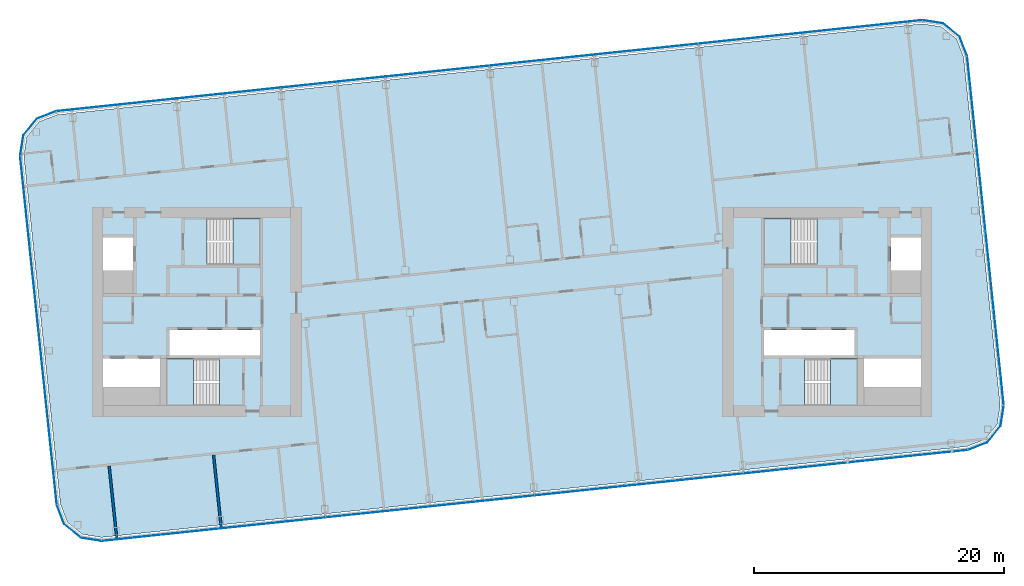
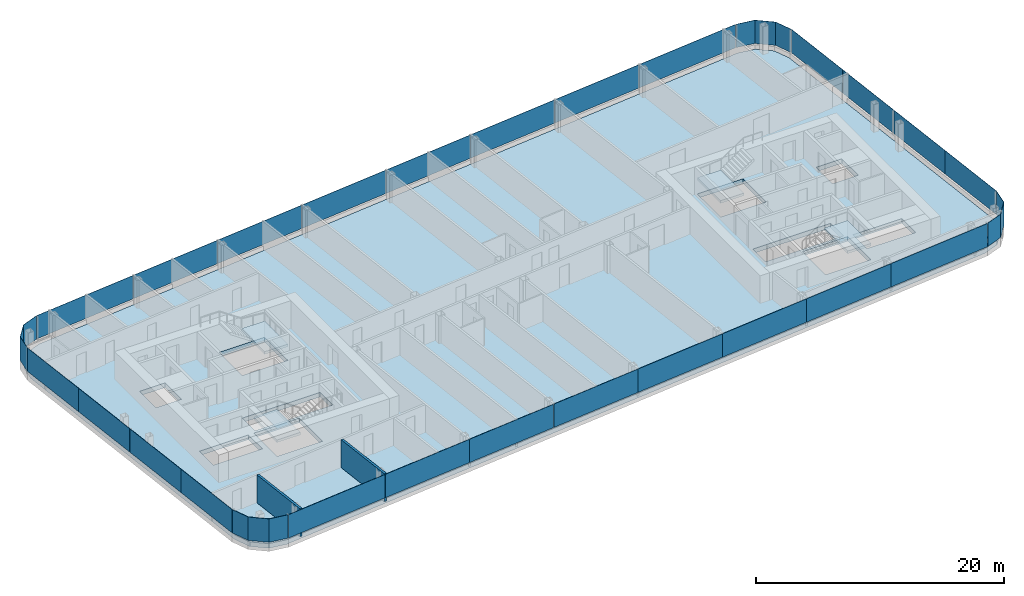
# One storey, part 13 of 27: 28 plates, 5 slabs, 2 walls, 12 elements without a shape of their own.
"""IFC4 building model written with IfcOpenShell, lengths in metres."""

from ifc_helpers import new_model, si_unit, direction, frame, frame_2d, origin, origin_2d, place, context, subcontext, project, spatial, polyline, rectangle, outline, extrude, material, layer, layer_set, type_object, element, aggregate, save


model = new_model("IFC4")

# Units and contexts
model_context = context("Model", 3, precision=1e-05, world=origin(), true_north=direction((0.0, 1.0)))
body_context = subcontext(model_context, "Body", "Model", "MODEL_VIEW")
ifc_project = project(units=[si_unit("LENGTHUNIT", "METRE"), si_unit("AREAUNIT", "SQUARE_METRE"), si_unit("VOLUMEUNIT", "CUBIC_METRE"), si_unit("PLANEANGLEUNIT", "RADIAN"), si_unit("MASSUNIT", "GRAM", prefix="KILO")], contexts=[model_context])

# Site, building, storey
site_placement = place(None, origin())
site = spatial("IfcSite", under=ifc_project, at=site_placement, CompositionType="ELEMENT")
building_placement = place(site_placement, origin())
building = spatial("IfcBuilding", under=site, at=building_placement, Name="Hakoniwa Tower and Hamabe Station Hall", CompositionType="ELEMENT")
storey_placement = place(building_placement, frame((0.0, 0.0, 242.199951171875)))
storey = spatial("IfcBuildingStorey", under=building, at=storey_placement, Name="L68", CompositionType="ELEMENT", Elevation=242.199951171875)

# Stair, slab
ifc_material_1 = material(Name="Concrete C40", Category="concrete")
stair_type = type_object("IfcStairType", Name="ESCAPE STAIR 1800", PredefinedType="HALF_TURN_STAIR", material=ifc_material_1)
stair_1_placement = place(storey_placement, origin())
stair_1 = element("IfcStair", 1, at=stair_1_placement, inside=storey, type_object=stair_type, Name="Escape stair ST-1 L68", PredefinedType="HALF_TURN_STAIR")
ifc_material_2 = material(Name="Concrete C40", Category="concrete")
ifc_layer_1 = layer(ifc_material_2, 0.25)
ifc_layer_set_1 = layer_set([ifc_layer_1], Name="CORE STAIR LANDING 250")
slab_type_1 = type_object("IfcSlabType", Name="CORE STAIR LANDING 250", PredefinedType="LANDING", material=ifc_layer_set_1)
slab_1_placement = place(storey_placement, frame((0.0, 0.0, 1.35009765625)))
slab_1 = element("IfcSlab", 2, at=slab_1_placement, type_object=slab_type_1, Name="ST-1 landing 1", PredefinedType="LANDING", context=body_context, shape_type="SweptSolid", body=[
    extrude(outline(polyline([(-22.320068359375, 3.75), (-20.14990234375, 3.75), (-20.14990234375, 7.5), (-22.320068359375, 7.5), (-22.320068359375, 3.75)])), origin(), (0.0, 0.0, 1.0), 0.25),
])
aggregate(stair_1, [slab_1])

stair_2_placement = place(storey_placement, origin())
stair_2 = element("IfcStair", 3, at=stair_2_placement, inside=storey, type_object=stair_type, Name="Escape stair ST-2 L68", PredefinedType="HALF_TURN_STAIR")
slab_2_placement = place(storey_placement, frame((0.0, 0.0, 1.35009765625)))
slab_2 = element("IfcSlab", 4, at=slab_2_placement, type_object=slab_type_1, Name="ST-2 landing 1", PredefinedType="LANDING", context=body_context, shape_type="SweptSolid", body=[
    extrude(outline(polyline([(-25.47998046875, -7.5), (-27.64990234375, -7.5), (-27.64990234375, -3.75), (-25.47998046875, -3.75), (-25.47998046875, -7.5)])), origin(), (0.0, 0.0, 1.0), 0.25),
])
aggregate(stair_2, [slab_2])

stair_3_placement = place(storey_placement, origin())
stair_3 = element("IfcStair", 5, at=stair_3_placement, inside=storey, type_object=stair_type, Name="Escape stair ST-3 L68", PredefinedType="HALF_TURN_STAIR")
slab_3_placement = place(storey_placement, frame((0.0, 0.0, 1.35009765625)))
slab_3 = element("IfcSlab", 6, at=slab_3_placement, type_object=slab_type_1, Name="ST-3 landing 1", PredefinedType="LANDING", context=body_context, shape_type="SweptSolid", body=[
    extrude(outline(polyline([(22.320068359375, 3.75), (20.14990234375, 3.75), (20.14990234375, 7.5), (22.320068359375, 7.5), (22.320068359375, 3.75)])), origin(), (0.0, 0.0, 1.0), 0.25),
])
aggregate(stair_3, [slab_3])

stair_4_placement = place(storey_placement, origin())
stair_4 = element("IfcStair", 7, at=stair_4_placement, inside=storey, type_object=stair_type, Name="Escape stair ST-4 L68", PredefinedType="HALF_TURN_STAIR")
slab_4_placement = place(storey_placement, frame((0.0, 0.0, 1.35009765625)))
slab_4 = element("IfcSlab", 8, at=slab_4_placement, type_object=slab_type_1, Name="ST-4 landing 1", PredefinedType="LANDING", context=body_context, shape_type="SweptSolid", body=[
    extrude(outline(polyline([(25.47998046875, -7.5), (27.64990234375, -7.5), (27.64990234375, -3.75), (25.47998046875, -3.75), (25.47998046875, -7.5)])), origin(), (0.0, 0.0, 1.0), 0.25),
])
aggregate(stair_4, [slab_4])

# Curtain wall, plates
ifc_material_3 = material(Name="Dark low-e laminated glass", Category="glass")
ifc_layer_2 = layer(ifc_material_3, 0.199951171875)
ifc_layer_set_2 = layer_set([ifc_layer_2], Name="CW-1 UNITISED GUEST")
curtain_wall_type = type_object("IfcCurtainWallType", Name="CW-1 UNITISED GUEST", PredefinedType="NOTDEFINED", material=ifc_layer_set_2)
curtain_wall_1_placement = place(storey_placement, origin())
curtain_wall_1 = element("IfcCurtainWall", 9, at=curtain_wall_1_placement, inside=storey, type_object=curtain_wall_type, Name="CW-1 curtain wall", PredefinedType="NOTDEFINED")
ifc_material_4 = material(Name="Dark low-e laminated glass", Category="glass")
ifc_layer_3 = layer(ifc_material_4, 0.028076171875)
ifc_layer_set_3 = layer_set([ifc_layer_3], Name="CW-1 GLASS UNIT")
plate_type = type_object("IfcPlateType", Name="CW-1 GLASS UNIT", PredefinedType="CURTAIN_PANEL", material=ifc_layer_set_3)
plate_1_placement = place(storey_placement, frame((38.97802734375, -3.990966796875, 0.35009765625), z_axis=(0.0, 0.0, 1.0), x_axis=(-0.104528468631, 0.994521894805, 0.0)))
plate_1 = element("IfcPlate", 10, at=plate_1_placement, type_object=plate_type, Name="CW-1 glass unit", PredefinedType="CURTAIN_PANEL", context=body_context, shape_type="SweptSolid", body=[
    extrude(rectangle(XDim=6.999755859375, YDim=0.028076171875, at=origin_2d()), origin(), (0.0, 0.0, 1.0), 2.300048828125),
])
plate_2_placement = place(storey_placement, frame((38.244140625, 2.990478515625, 0.35009765625), z_axis=(0.0, 0.0, 1.0), x_axis=(-0.104528468631, 0.994521894805, 0.0)))
plate_2 = element("IfcPlate", 11, at=plate_2_placement, type_object=plate_type, Name="CW-1 glass unit", PredefinedType="CURTAIN_PANEL", context=body_context, shape_type="SweptSolid", body=[
    extrude(rectangle(XDim=6.999755859375, YDim=0.028076171875, at=origin_2d()), origin(), (0.0, 0.0, 1.0), 2.300048828125),
])
plate_3_placement = place(storey_placement, frame((37.510498046875, 9.9716796875, 0.35009765625), z_axis=(0.0, 0.0, 1.0), x_axis=(-0.104528468631, 0.994521894805, 0.0)))
plate_3 = element("IfcPlate", 12, at=plate_3_placement, type_object=plate_type, Name="CW-1 glass unit", PredefinedType="CURTAIN_PANEL", context=body_context, shape_type="SweptSolid", body=[
    extrude(rectangle(XDim=6.999755859375, YDim=0.028076171875, at=origin_2d()), origin(), (0.0, 0.0, 1.0), 2.300048828125),
])
plate_4_placement = place(storey_placement, frame((36.776611328125, 16.953125, 0.35009765625), z_axis=(0.0, 0.0, 1.0), x_axis=(-0.104528468631, 0.994521894805, 0.0)))
plate_4 = element("IfcPlate", 13, at=plate_4_placement, type_object=plate_type, Name="CW-1 glass unit", PredefinedType="CURTAIN_PANEL", context=body_context, shape_type="SweptSolid", body=[
    extrude(rectangle(XDim=6.999755859375, YDim=0.028076171875, at=origin_2d()), origin(), (0.0, 0.0, 1.0), 2.300048828125),
])
aggregate(curtain_wall_1, [plate_1, plate_2, plate_3, plate_4])

# Curtain wall, plate
curtain_wall_2_placement = place(storey_placement, origin())
curtain_wall_2 = element("IfcCurtainWall", 14, at=curtain_wall_2_placement, inside=storey, type_object=curtain_wall_type, Name="CW-1 curtain wall", PredefinedType="NOTDEFINED")
plate_5_placement = place(storey_placement, frame((0.0, 0.0, 0.35009765625)))
plate_5 = element("IfcPlate", 15, at=plate_5_placement, type_object=plate_type, Name="CW-1 curved corner unit", PredefinedType="CURTAIN_PANEL", context=body_context, shape_type="SweptSolid", body=[
    extrude(outline(polyline([(36.409423828125, 20.482421875), (35.82421875, 22.0068359375), (34.492431640625, 23.085205078125), (32.8798828125, 23.340576171875), (32.87548828125, 23.31298828125), (34.480712890625, 23.058837890625), (35.80078125, 21.98974609375), (36.38330078125, 20.472412109375), (36.409423828125, 20.482421875)])), origin(), (0.0, 0.0, 1.0), 2.300048828125),
])
aggregate(curtain_wall_2, [plate_5])

# Curtain wall, plates
curtain_wall_3_placement = place(storey_placement, origin())
curtain_wall_3 = element("IfcCurtainWall", 16, at=curtain_wall_3_placement, inside=storey, type_object=curtain_wall_type, Name="CW-1 curtain wall", PredefinedType="NOTDEFINED")
plate_6_placement = place(storey_placement, frame((28.04833984375, 22.829345703125, 0.35009765625), z_axis=(0.0, 0.0, 1.0), x_axis=(-0.994521895272, -0.104528464188, 0.0)))
plate_6 = element("IfcPlate", 17, at=plate_6_placement, type_object=plate_type, Name="CW-1 glass unit", PredefinedType="CURTAIN_PANEL", context=body_context, shape_type="SweptSolid", body=[
    extrude(rectangle(XDim=9.619384765625, YDim=0.028076171875, at=origin_2d()), origin(), (0.0, 0.0, 1.0), 2.300048828125),
])
plate_7_placement = place(storey_placement, frame((19.078125, 21.886474609375, 0.35009765625), z_axis=(0.0, 0.0, 1.0), x_axis=(-0.994521895272, -0.104528464188, 0.0)))
plate_7 = element("IfcPlate", 18, at=plate_7_placement, type_object=plate_type, Name="CW-1 glass unit", PredefinedType="CURTAIN_PANEL", context=body_context, shape_type="SweptSolid", body=[
    extrude(rectangle(XDim=8.3798828125, YDim=0.028076171875, at=origin_2d()), origin(), (0.0, 0.0, 1.0), 2.300048828125),
])
plate_8_placement = place(storey_placement, frame((10.72412109375, 21.00830078125, 0.35009765625), z_axis=(0.0, 0.0, 1.0), x_axis=(-0.994521895272, -0.104528464188, 0.0)))
plate_8 = element("IfcPlate", 19, at=plate_8_placement, type_object=plate_type, Name="CW-1 glass unit", PredefinedType="CURTAIN_PANEL", context=body_context, shape_type="SweptSolid", body=[
    extrude(rectangle(XDim=8.3798828125, YDim=0.028076171875, at=origin_2d()), origin(), (0.0, 0.0, 1.0), 2.300048828125),
])
plate_9_placement = place(storey_placement, frame((2.3701171875, 20.13037109375, 0.35009765625), z_axis=(0.0, 0.0, 1.0), x_axis=(-0.994521895272, -0.104528464188, 0.0)))
plate_9 = element("IfcPlate", 20, at=plate_9_placement, type_object=plate_type, Name="CW-1 glass unit", PredefinedType="CURTAIN_PANEL", context=body_context, shape_type="SweptSolid", body=[
    extrude(rectangle(XDim=8.3798828125, YDim=0.028076171875, at=origin_2d()), origin(), (0.0, 0.0, 1.0), 2.300048828125),
])
plate_10_placement = place(storey_placement, frame((-5.98388671875, 19.252197265625, 0.35009765625), z_axis=(0.0, 0.0, 1.0), x_axis=(-0.994521895272, -0.104528464188, 0.0)))
plate_10 = element("IfcPlate", 21, at=plate_10_placement, type_object=plate_type, Name="CW-1 glass unit", PredefinedType="CURTAIN_PANEL", context=body_context, shape_type="SweptSolid", body=[
    extrude(rectangle(XDim=8.3798828125, YDim=0.028076171875, at=origin_2d()), origin(), (0.0, 0.0, 1.0), 2.300048828125),
])
plate_11_placement = place(storey_placement, frame((-14.337890625, 18.374267578125, 0.35009765625), z_axis=(0.0, 0.0, 1.0), x_axis=(-0.994521895272, -0.104528464188, 0.0)))
plate_11 = element("IfcPlate", 22, at=plate_11_placement, type_object=plate_type, Name="CW-1 glass unit", PredefinedType="CURTAIN_PANEL", context=body_context, shape_type="SweptSolid", body=[
    extrude(rectangle(XDim=8.3798828125, YDim=0.028076171875, at=origin_2d()), origin(), (0.0, 0.0, 1.0), 2.300048828125),
])
plate_12_placement = place(storey_placement, frame((-22.69189453125, 17.49609375, 0.35009765625), z_axis=(0.0, 0.0, 1.0), x_axis=(-0.994521895272, -0.104528464188, 0.0)))
plate_12 = element("IfcPlate", 23, at=plate_12_placement, type_object=plate_type, Name="CW-1 glass unit", PredefinedType="CURTAIN_PANEL", context=body_context, shape_type="SweptSolid", body=[
    extrude(rectangle(XDim=8.3798828125, YDim=0.028076171875, at=origin_2d()), origin(), (0.0, 0.0, 1.0), 2.300048828125),
])
plate_13_placement = place(storey_placement, frame((-31.662109375, 16.553466796875, 0.35009765625), z_axis=(0.0, 0.0, 1.0), x_axis=(-0.994521895272, -0.104528464188, 0.0)))
plate_13 = element("IfcPlate", 24, at=plate_13_placement, type_object=plate_type, Name="CW-1 glass unit", PredefinedType="CURTAIN_PANEL", context=body_context, shape_type="SweptSolid", body=[
    extrude(rectangle(XDim=9.619384765625, YDim=0.028076171875, at=origin_2d()), origin(), (0.0, 0.0, 1.0), 2.300048828125),
])
aggregate(curtain_wall_3, [plate_6, plate_7, plate_8, plate_9, plate_10, plate_11, plate_12, plate_13])

# Curtain wall, plate
curtain_wall_4_placement = place(storey_placement, origin())
curtain_wall_4 = element("IfcCurtainWall", 25, at=curtain_wall_4_placement, inside=storey, type_object=curtain_wall_type, Name="CW-1 curtain wall", PredefinedType="NOTDEFINED")
plate_14_placement = place(storey_placement, frame((0.0, 0.0, 0.35009765625)))
plate_14 = element("IfcPlate", 26, at=plate_14_placement, type_object=plate_type, Name="CW-1 curved corner unit", PredefinedType="CURTAIN_PANEL", context=body_context, shape_type="SweptSolid", body=[
    extrude(outline(polyline([(-36.494384765625, 16.049072265625), (-38.0185546875, 15.464111328125), (-39.09716796875, 14.13232421875), (-39.3525390625, 12.51953125), (-39.324951171875, 12.51513671875), (-39.070556640625, 14.120361328125), (-38.001708984375, 15.440673828125), (-36.484375, 16.02294921875), (-36.494384765625, 16.049072265625)])), origin(), (0.0, 0.0, 1.0), 2.300048828125),
])
aggregate(curtain_wall_4, [plate_14])

# Curtain wall, plates
curtain_wall_5_placement = place(storey_placement, origin())
curtain_wall_5 = element("IfcCurtainWall", 27, at=curtain_wall_5_placement, inside=storey, type_object=curtain_wall_type, Name="CW-1 curtain wall", PredefinedType="NOTDEFINED")
plate_15_placement = place(storey_placement, frame((-38.97802734375, 8.990966796875, 0.35009765625), z_axis=(0.0, 0.0, 1.0), x_axis=(0.104528468631, -0.994521894805, 0.0)))
plate_15 = element("IfcPlate", 28, at=plate_15_placement, type_object=plate_type, Name="CW-1 glass unit", PredefinedType="CURTAIN_PANEL", context=body_context, shape_type="SweptSolid", body=[
    extrude(rectangle(XDim=6.999755859375, YDim=0.028076171875, at=origin_2d()), origin(), (0.0, 0.0, 1.0), 2.300048828125),
])
plate_16_placement = place(storey_placement, frame((-38.244140625, 2.009521484375, 0.35009765625), z_axis=(0.0, 0.0, 1.0), x_axis=(0.104528468631, -0.994521894805, 0.0)))
plate_16 = element("IfcPlate", 29, at=plate_16_placement, type_object=plate_type, Name="CW-1 glass unit", PredefinedType="CURTAIN_PANEL", context=body_context, shape_type="SweptSolid", body=[
    extrude(rectangle(XDim=6.999755859375, YDim=0.028076171875, at=origin_2d()), origin(), (0.0, 0.0, 1.0), 2.300048828125),
])
plate_17_placement = place(storey_placement, frame((-37.510498046875, -4.9716796875, 0.35009765625), z_axis=(0.0, 0.0, 1.0), x_axis=(0.104528468631, -0.994521894805, 0.0)))
plate_17 = element("IfcPlate", 30, at=plate_17_placement, type_object=plate_type, Name="CW-1 glass unit", PredefinedType="CURTAIN_PANEL", context=body_context, shape_type="SweptSolid", body=[
    extrude(rectangle(XDim=6.999755859375, YDim=0.028076171875, at=origin_2d()), origin(), (0.0, 0.0, 1.0), 2.300048828125),
])
plate_18_placement = place(storey_placement, frame((-36.776611328125, -11.953125, 0.35009765625), z_axis=(0.0, 0.0, 1.0), x_axis=(0.104528468631, -0.994521894805, 0.0)))
plate_18 = element("IfcPlate", 31, at=plate_18_placement, type_object=plate_type, Name="CW-1 glass unit", PredefinedType="CURTAIN_PANEL", context=body_context, shape_type="SweptSolid", body=[
    extrude(rectangle(XDim=6.999755859375, YDim=0.028076171875, at=origin_2d()), origin(), (0.0, 0.0, 1.0), 2.300048828125),
])
aggregate(curtain_wall_5, [plate_15, plate_16, plate_17, plate_18])

# Curtain wall, plate
curtain_wall_6_placement = place(storey_placement, origin())
curtain_wall_6 = element("IfcCurtainWall", 32, at=curtain_wall_6_placement, inside=storey, type_object=curtain_wall_type, Name="CW-1 curtain wall", PredefinedType="NOTDEFINED")
plate_19_placement = place(storey_placement, frame((0.0, 0.0, 0.35009765625)))
plate_19 = element("IfcPlate", 33, at=plate_19_placement, type_object=plate_type, Name="CW-1 curved corner unit", PredefinedType="CURTAIN_PANEL", context=body_context, shape_type="SweptSolid", body=[
    extrude(outline(polyline([(-36.409423828125, -15.482421875), (-35.82421875, -17.0068359375), (-34.492431640625, -18.085205078125), (-32.8798828125, -18.340576171875), (-32.87548828125, -18.31298828125), (-34.480712890625, -18.058837890625), (-35.80078125, -16.98974609375), (-36.38330078125, -15.472412109375), (-36.409423828125, -15.482421875)])), origin(), (0.0, 0.0, 1.0), 2.300048828125),
])
aggregate(curtain_wall_6, [plate_19])

# Curtain wall, plates
curtain_wall_7_placement = place(storey_placement, origin())
curtain_wall_7 = element("IfcCurtainWall", 34, at=curtain_wall_7_placement, inside=storey, type_object=curtain_wall_type, Name="CW-1 curtain wall", PredefinedType="NOTDEFINED")
plate_20_placement = place(storey_placement, frame((-28.04833984375, -17.829345703125, 0.35009765625), z_axis=(0.0, 0.0, 1.0), x_axis=(0.994521895272, 0.104528464188, 0.0)))
plate_20 = element("IfcPlate", 35, at=plate_20_placement, type_object=plate_type, Name="CW-1 glass unit", PredefinedType="CURTAIN_PANEL", context=body_context, shape_type="SweptSolid", body=[
    extrude(rectangle(XDim=9.619384765625, YDim=0.028076171875, at=origin_2d()), origin(), (0.0, 0.0, 1.0), 2.300048828125),
])
plate_21_placement = place(storey_placement, frame((-19.078125, -16.886474609375, 0.35009765625), z_axis=(0.0, 0.0, 1.0), x_axis=(0.994521895272, 0.104528464188, 0.0)))
plate_21 = element("IfcPlate", 36, at=plate_21_placement, type_object=plate_type, Name="CW-1 glass unit", PredefinedType="CURTAIN_PANEL", context=body_context, shape_type="SweptSolid", body=[
    extrude(rectangle(XDim=8.3798828125, YDim=0.028076171875, at=origin_2d()), origin(), (0.0, 0.0, 1.0), 2.300048828125),
])
plate_22_placement = place(storey_placement, frame((-10.72412109375, -16.00830078125, 0.35009765625), z_axis=(0.0, 0.0, 1.0), x_axis=(0.994521895272, 0.104528464188, 0.0)))
plate_22 = element("IfcPlate", 37, at=plate_22_placement, type_object=plate_type, Name="CW-1 glass unit", PredefinedType="CURTAIN_PANEL", context=body_context, shape_type="SweptSolid", body=[
    extrude(rectangle(XDim=8.3798828125, YDim=0.028076171875, at=origin_2d()), origin(), (0.0, 0.0, 1.0), 2.300048828125),
])
plate_23_placement = place(storey_placement, frame((-2.3701171875, -15.13037109375, 0.35009765625), z_axis=(0.0, 0.0, 1.0), x_axis=(0.994521895272, 0.104528464188, 0.0)))
plate_23 = element("IfcPlate", 38, at=plate_23_placement, type_object=plate_type, Name="CW-1 glass unit", PredefinedType="CURTAIN_PANEL", context=body_context, shape_type="SweptSolid", body=[
    extrude(rectangle(XDim=8.3798828125, YDim=0.028076171875, at=origin_2d()), origin(), (0.0, 0.0, 1.0), 2.300048828125),
])
plate_24_placement = place(storey_placement, frame((5.98388671875, -14.252197265625, 0.35009765625), z_axis=(0.0, 0.0, 1.0), x_axis=(0.994521895272, 0.104528464188, 0.0)))
plate_24 = element("IfcPlate", 39, at=plate_24_placement, type_object=plate_type, Name="CW-1 glass unit", PredefinedType="CURTAIN_PANEL", context=body_context, shape_type="SweptSolid", body=[
    extrude(rectangle(XDim=8.3798828125, YDim=0.028076171875, at=origin_2d()), origin(), (0.0, 0.0, 1.0), 2.300048828125),
])
plate_25_placement = place(storey_placement, frame((14.337890625, -13.374267578125, 0.35009765625), z_axis=(0.0, 0.0, 1.0), x_axis=(0.994521895272, 0.104528464188, 0.0)))
plate_25 = element("IfcPlate", 40, at=plate_25_placement, type_object=plate_type, Name="CW-1 glass unit", PredefinedType="CURTAIN_PANEL", context=body_context, shape_type="SweptSolid", body=[
    extrude(rectangle(XDim=8.3798828125, YDim=0.028076171875, at=origin_2d()), origin(), (0.0, 0.0, 1.0), 2.300048828125),
])
plate_26_placement = place(storey_placement, frame((22.69189453125, -12.49609375, 0.35009765625), z_axis=(0.0, 0.0, 1.0), x_axis=(0.994521895272, 0.104528464188, 0.0)))
plate_26 = element("IfcPlate", 41, at=plate_26_placement, type_object=plate_type, Name="CW-1 glass unit", PredefinedType="CURTAIN_PANEL", context=body_context, shape_type="SweptSolid", body=[
    extrude(rectangle(XDim=8.3798828125, YDim=0.028076171875, at=origin_2d()), origin(), (0.0, 0.0, 1.0), 2.300048828125),
])
plate_27_placement = place(storey_placement, frame((31.662109375, -11.553466796875, 0.35009765625), z_axis=(0.0, 0.0, 1.0), x_axis=(0.994521895272, 0.104528464188, 0.0)))
plate_27 = element("IfcPlate", 42, at=plate_27_placement, type_object=plate_type, Name="CW-1 glass unit", PredefinedType="CURTAIN_PANEL", context=body_context, shape_type="SweptSolid", body=[
    extrude(rectangle(XDim=9.619384765625, YDim=0.028076171875, at=origin_2d()), origin(), (0.0, 0.0, 1.0), 2.300048828125),
])
aggregate(curtain_wall_7, [plate_20, plate_21, plate_22, plate_23, plate_24, plate_25, plate_26, plate_27])

# Curtain wall, plate
curtain_wall_8_placement = place(storey_placement, origin())
curtain_wall_8 = element("IfcCurtainWall", 43, at=curtain_wall_8_placement, inside=storey, type_object=curtain_wall_type, Name="CW-1 curtain wall", PredefinedType="NOTDEFINED")
plate_28_placement = place(storey_placement, frame((0.0, 0.0, 0.35009765625)))
plate_28 = element("IfcPlate", 44, at=plate_28_placement, type_object=plate_type, Name="CW-1 curved corner unit", PredefinedType="CURTAIN_PANEL", context=body_context, shape_type="SweptSolid", body=[
    extrude(outline(polyline([(36.494384765625, -11.049072265625), (38.0185546875, -10.464111328125), (39.09716796875, -9.13232421875), (39.3525390625, -7.51953125), (39.324951171875, -7.51513671875), (39.070556640625, -9.120361328125), (38.001708984375, -10.440673828125), (36.484375, -11.02294921875), (36.494384765625, -11.049072265625)])), origin(), (0.0, 0.0, 1.0), 2.300048828125),
])
aggregate(curtain_wall_8, [plate_28])

# Slab
ifc_material_5 = material(Name="Concrete C42", Category="concrete")
ifc_layer_4 = layer(ifc_material_5, 0.449951171875)
ifc_layer_set_4 = layer_set([ifc_layer_4], Name="PT FLAT PLATE 450")
slab_type_2 = type_object("IfcSlabType", Name="PT FLAT PLATE 450", PredefinedType="FLOOR", material=ifc_layer_set_4)
slab_5_placement = place(storey_placement, frame((0.0, 0.0, -0.449951171875)))
element("IfcSlab", 45, at=slab_5_placement, inside=storey, type_object=slab_type_2, Name="Floor slab L68", PredefinedType="FLOOR", context=body_context, shape_type="SweptSolid", body=[
    extrude(outline(polyline([(39.056396484375, -7.47216796875), (36.12939453125, 20.37451171875), (35.572998046875, 21.82421875), (34.3662109375, 22.801513671875), (32.83251953125, 23.04443359375), (-36.38623046875, 15.769287109375), (-37.836181640625, 15.212890625), (-38.8134765625, 14.005859375), (-39.056396484375, 12.47216796875), (-36.12939453125, -15.37451171875), (-35.572998046875, -16.82421875), (-34.3662109375, -17.801513671875), (-32.83251953125, -18.04443359375), (36.38623046875, -10.769287109375), (37.836181640625, -10.212890625), (38.8134765625, -9.005859375), (39.056396484375, -7.47216796875)]), holes=[polyline([(-27.39990234375, -3.5), (-27.39990234375, -1.449951171875), (-20.14990234375, -1.449951171875), (-20.14990234375, -3.5), (-27.39990234375, -3.5)]), polyline([(-32.699951171875, 3.300048828125), (-32.699951171875, 5.949951171875), (-30.300048828125, 5.949951171875), (-30.300048828125, 3.300048828125), (-32.699951171875, 3.300048828125)]), polyline([(-32.699951171875, -6.0), (-32.699951171875, -3.75), (-28.14990234375, -3.75), (-28.14990234375, -6.0), (-32.699951171875, -6.0)]), polyline([(-24.389892578125, 3.75), (-24.389892578125, 7.5), (-20.14990234375, 7.5), (-20.14990234375, 3.75), (-24.389892578125, 3.75)]), polyline([(-27.64990234375, -7.5), (-27.64990234375, -3.75), (-23.409912109375, -3.75), (-23.409912109375, -7.5), (-27.64990234375, -7.5)]), polyline([(20.14990234375, -3.5), (20.14990234375, -1.449951171875), (27.39990234375, -1.449951171875), (27.39990234375, -3.5), (20.14990234375, -3.5)]), polyline([(30.300048828125, 3.300048828125), (30.300048828125, 5.949951171875), (32.699951171875, 5.949951171875), (32.699951171875, 3.300048828125), (30.300048828125, 3.300048828125)]), polyline([(28.14990234375, -6.0), (28.14990234375, -3.75), (32.699951171875, -3.75), (32.699951171875, -6.0), (28.14990234375, -6.0)]), polyline([(20.14990234375, 3.75), (20.14990234375, 7.5), (24.389892578125, 7.5), (24.389892578125, 3.75), (20.14990234375, 3.75)]), polyline([(23.409912109375, -7.5), (23.409912109375, -3.75), (27.64990234375, -3.75), (27.64990234375, -7.5), (23.409912109375, -7.5)])]), origin(), (0.0, 0.0, 1.0), 0.449951171875),
])

# Walls
ifc_material_6 = material(Name="Fire-rated gypsum board partition", Category="gypsum")
ifc_layer_5 = layer(ifc_material_6, 0.199951171875)
ifc_layer_set_5 = layer_set([ifc_layer_5], Name="Party Wall 200")
wall_type = type_object("IfcWallType", Name="Party Wall 200", PredefinedType="PARTITIONING", material=ifc_layer_set_5)
for number, where, z_axis, x_axis, name in (
    (46, (-31.607666015625, -18.21728515625, 0.0), (0.0, 0.0, 1.0), (-0.10453655107, 0.994521045273, 0.0), "GW-L68-015"),
    (47, (-23.253662109375, -17.33935546875, 0.0), (0.0, 0.0, 1.0), (-0.10453655107, 0.994521045273, 0.0), "GW-L68-018"),
):
    element("IfcWall", number, at=place(storey_placement, frame(where, z_axis=z_axis, x_axis=x_axis)), inside=storey, type_object=wall_type, Name=name, PredefinedType="PARTITIONING", context=body_context, shape_type="SweptSolid", body=[
        extrude(rectangle(XDim=5.915771484375, YDim=0.199951171875, at=frame_2d((2.9580078125, 0.0))), origin(), (0.0, 0.0, 1.0), 2.75),
    ])

save(model, "model.ifc")
